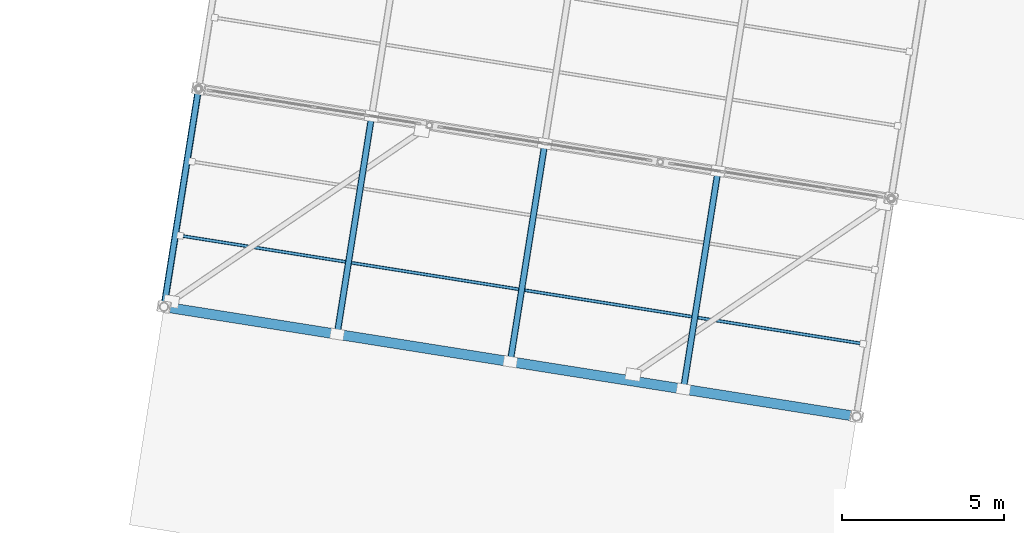
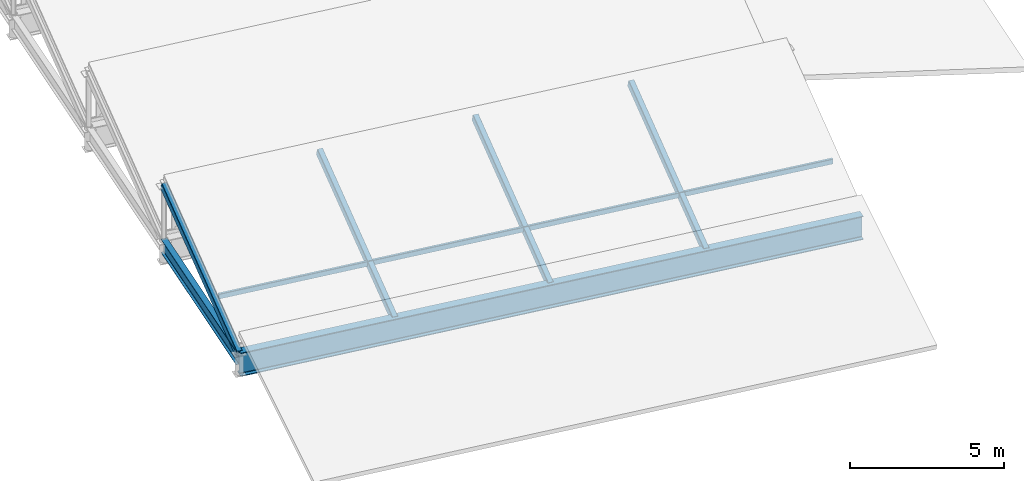
# One storey, part 33 of 65: 5 members, 2 beams.
"""IFC4 building model written with IfcOpenShell, lengths in metres."""

from ifc_helpers import new_model, si_unit, direction, frame, origin, origin_2d, place, context, subcontext, project, spatial, hollow_rectangle, i_section, extrude, material, material_profile, profile_set, type_object, element, save


model = new_model("IFC4")

# Units and contexts
model_context = context("Model", 3, precision=1e-05, world=origin(), true_north=direction((0.0, 1.0)))
body_context = subcontext(model_context, "Body", "Model", "MODEL_VIEW")
ifc_project = project(units=[si_unit("LENGTHUNIT", "METRE"), si_unit("AREAUNIT", "SQUARE_METRE"), si_unit("VOLUMEUNIT", "CUBIC_METRE"), si_unit("PLANEANGLEUNIT", "RADIAN"), si_unit("MASSUNIT", "GRAM", prefix="KILO")], contexts=[model_context])

# Site, building, storey
site_placement = place(None, origin())
site = spatial("IfcSite", under=ifc_project, at=site_placement, CompositionType="ELEMENT")
building_placement = place(site_placement, origin())
building = spatial("IfcBuilding", under=site, at=building_placement, Name="Cinderway Yard Community Centre", CompositionType="ELEMENT")
storey_placement = place(building_placement, frame((0.0, 0.0, 24.300048828125)))
storey = spatial("IfcBuildingStorey", under=building, at=storey_placement, Name="RF", CompositionType="ELEMENT", Elevation=24.300048828125)

# Beams
ifc_material = material(Name="Steel S355", Category="steel")
ifc_material_profile_1 = material_profile(ifc_material, i_section(OverallWidth=0.2109375, OverallDepth=0.5390625, WebThickness=0.010986328125, FlangeThickness=0.017333984375, FilletRadius=0.013916015625, at=origin_2d()), Name="Steel S355")
ifc_profile_set_1 = profile_set([ifc_material_profile_1], Name="Steel S355")
beam_type_1 = type_object("IfcBeamType", Name="STR-BM-W530X109", PredefinedType="BEAM", material=ifc_profile_set_1)
beam_1_placement = place(storey_placement, frame((118.0, 38.0, -10.77001953125), z_axis=(0.156469575446, 0.987682779013, 0.0), x_axis=(-0.987682779013, 0.156469575446, 0.0)))
element("IfcBeam", 1, at=beam_1_placement, inside=storey, type_object=beam_type_1, Name="Sports eave beam W STR-BM-RF-SB06-1010", PredefinedType="BEAM", context=body_context, shape_type="SweptSolid", body=[
    extrude(i_section(OverallWidth=0.2109375, OverallDepth=0.5390625, WebThickness=0.010986328125, FlangeThickness=0.017333984375, FilletRadius=0.013916015625, at=origin_2d()), origin(), (0.0, 0.0, 1.0), 6.7998046875),
])
ifc_material_profile_2 = material_profile(ifc_material, i_section(OverallWidth=0.30908203125, OverallDepth=0.931884765625, WebThickness=0.017333984375, FlangeThickness=0.030029296875, FilletRadius=0.02392578125, at=origin_2d()), Name="Steel S355")
ifc_profile_set_2 = profile_set([ifc_material_profile_2], Name="Steel S355")
beam_type_2 = type_object("IfcBeamType", Name="STR-BM-W920X313", PredefinedType="BEAM", material=ifc_profile_set_2)
beam_2_placement = place(storey_placement, frame((118.0, 38.0, -10.966064453125), z_axis=(0.987688805013, -0.156431532791, 0.0), x_axis=(0.156431532791, 0.987688805013, 0.0)))
element("IfcBeam", 2, at=beam_2_placement, inside=storey, type_object=beam_type_2, Name="Sports Hall clear-span girder 01", PredefinedType="BEAM", context=body_context, shape_type="SweptSolid", body=[
    extrude(i_section(OverallWidth=0.30908203125, OverallDepth=0.931884765625, WebThickness=0.017333984375, FlangeThickness=0.030029296875, FilletRadius=0.02392578125, at=origin_2d()), origin(), (0.0, 0.0, 1.0), 21.599853515625),
])

# Members
ifc_material_profile_3 = material_profile(ifc_material, hollow_rectangle(XDim=0.10009765625, YDim=0.199951171875, WallThickness=0.008056640625, InnerFilletRadius=0.008056640625, OuterFilletRadius=0.01611328125, at=origin_2d()), Name="Steel S355")
ifc_profile_set_3 = profile_set([ifc_material_profile_3], Name="Steel S355")
member_type_1 = type_object("IfcMemberType", Name="STR-MEM-PURLIN-200", PredefinedType="PURLIN", material=ifc_profile_set_3)
member_1_placement = place(storey_placement, frame((118.4990234375, 40.193115234375, -9.843994140625), z_axis=(0.987688878943, -0.156431066005, 0.0), x_axis=(0.156431066005, 0.987688878943, 0.0)))
element("IfcMember", 3, at=member_1_placement, inside=storey, type_object=member_type_1, Name="Sawtooth roof purlin B1-33", PredefinedType="PURLIN", context=body_context, shape_type="SweptSolid", body=[
    extrude(hollow_rectangle(XDim=0.10009765625, YDim=0.199951171875, WallThickness=0.008056640625, InnerFilletRadius=0.008056640625, OuterFilletRadius=0.01611328125, at=origin_2d()), origin(), (0.0, 0.0, 1.0), 21.30029296875),
])
ifc_material_profile_4 = material_profile(ifc_material, hollow_rectangle(XDim=0.199951171875, YDim=0.300048828125, WallThickness=0.012451171875, InnerFilletRadius=0.012451171875, OuterFilletRadius=0.02490234375, at=origin_2d()), Name="Steel S355")
ifc_profile_set_4 = profile_set([ifc_material_profile_4], Name="Steel S355")
member_type_2 = type_object("IfcMemberType", Name="STR-MEM-RAFTER-300", PredefinedType="RAFTER", material=ifc_profile_set_4)
member_2_placement = place(storey_placement, frame((118.0, 38.0, -10.6201171875), z_axis=(0.14887205817, 0.939724976642, 0.307821504399), x_axis=(-0.987682779013, 0.156469575446, 0.0)))
element("IfcMember", 4, at=member_2_placement, inside=storey, type_object=member_type_2, Name="Sawtooth raked rafter B1-000", PredefinedType="RAFTER", context=body_context, shape_type="SweptSolid", body=[
    extrude(hollow_rectangle(XDim=0.199951171875, YDim=0.300048828125, WallThickness=0.012451171875, InnerFilletRadius=0.012451171875, OuterFilletRadius=0.02490234375, at=origin_2d()), origin(), (0.0, 0.0, 1.0), 7.146728515625),
])
member_3_placement = place(storey_placement, frame((123.333984375, 37.155029296875, -10.6201171875), z_axis=(0.148719342481, 0.939760052754, 0.307788239573), x_axis=(-0.987708473463, 0.15630729813, 0.0)))
element("IfcMember", 5, at=member_3_placement, inside=storey, type_object=member_type_2, Name="Sawtooth raked rafter B1-054", PredefinedType="RAFTER", context=body_context, shape_type="SweptSolid", body=[
    extrude(hollow_rectangle(XDim=0.199951171875, YDim=0.300048828125, WallThickness=0.012451171875, InnerFilletRadius=0.012451171875, OuterFilletRadius=0.02490234375, at=origin_2d()), origin(), (0.0, 0.0, 1.0), 7.147705078125),
])
member_4_placement = place(storey_placement, frame((128.6669921875, 36.31103515625, -10.6201171875), z_axis=(0.14887205817, 0.939724976642, 0.307821504399), x_axis=(-0.987682779013, 0.156469575446, 0.0)))
element("IfcMember", 6, at=member_4_placement, inside=storey, type_object=member_type_2, Name="Sawtooth raked rafter B1-108", PredefinedType="RAFTER", context=body_context, shape_type="SweptSolid", body=[
    extrude(hollow_rectangle(XDim=0.199951171875, YDim=0.300048828125, WallThickness=0.012451171875, InnerFilletRadius=0.012451171875, OuterFilletRadius=0.02490234375, at=origin_2d()), origin(), (0.0, 0.0, 1.0), 7.146728515625),
])
member_5_placement = place(storey_placement, frame((134.0009765625, 35.466064453125, -10.6201171875), z_axis=(0.148743215018, 0.939740091575, 0.307837645964), x_axis=(-0.987704086794, 0.156335015047, 0.0)))
element("IfcMember", 7, at=member_5_placement, inside=storey, type_object=member_type_2, Name="Sawtooth raked rafter B1-162", PredefinedType="RAFTER", context=body_context, shape_type="SweptSolid", body=[
    extrude(hollow_rectangle(XDim=0.199951171875, YDim=0.300048828125, WallThickness=0.012451171875, InnerFilletRadius=0.012451171875, OuterFilletRadius=0.02490234375, at=origin_2d()), origin(), (0.0, 0.0, 1.0), 7.146484375),
])

save(model, "model.ifc")
